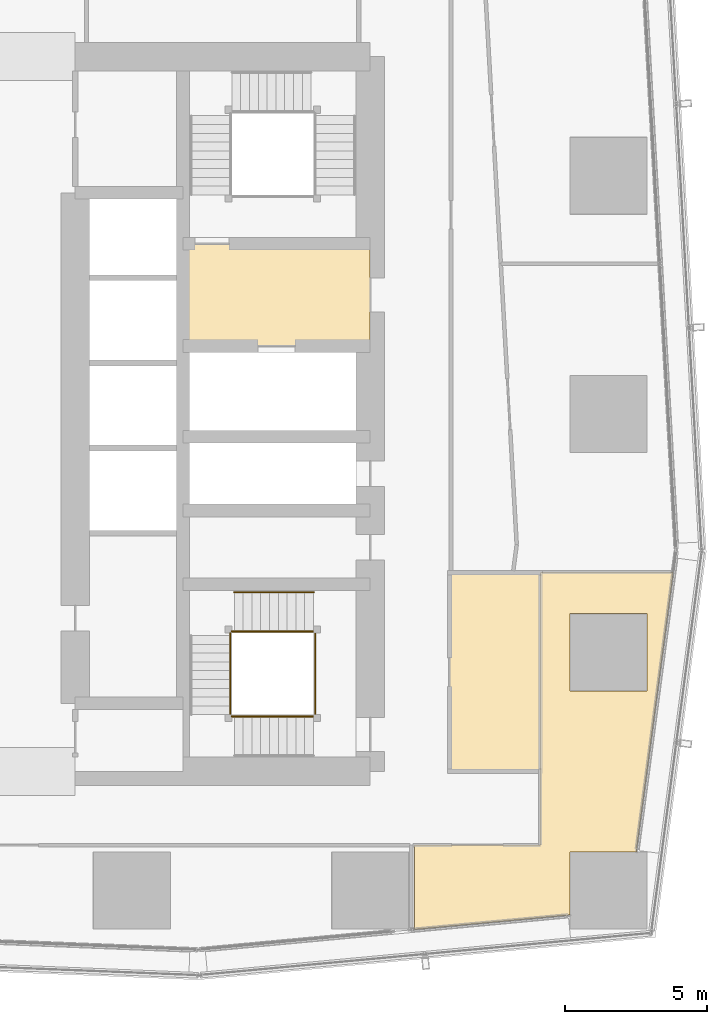
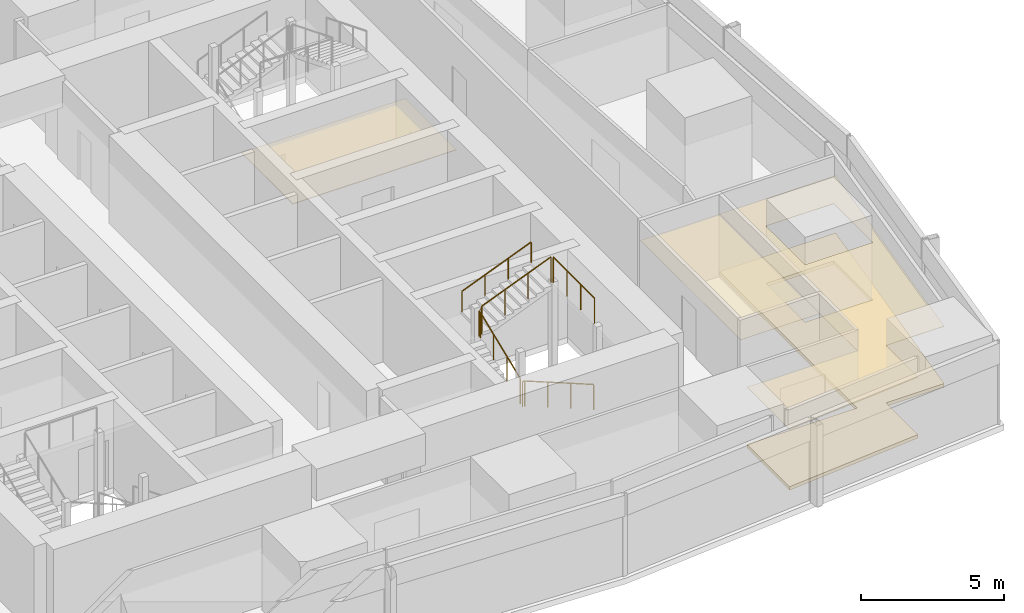
# One storey, part 33 of 36: 8 railings, 4 coverings.
"""IFC4 building model written with IfcOpenShell, lengths in metres."""

from ifc_helpers import new_model, si_unit, direction, frame, origin, origin_2d, place, context, subcontext, project, spatial, polyline, circle, outline, extrude, material, layer, layer_set, type_object, element, save


model = new_model("IFC4")

# Units and contexts
model_context = context("Model", 3, precision=1e-05, world=origin(), true_north=direction((0.0, 1.0)))
body_context = subcontext(model_context, "Body", "Model", "MODEL_VIEW")
ifc_project = project(units=[si_unit("LENGTHUNIT", "METRE"), si_unit("AREAUNIT", "SQUARE_METRE"), si_unit("VOLUMEUNIT", "CUBIC_METRE"), si_unit("PLANEANGLEUNIT", "RADIAN"), si_unit("MASSUNIT", "GRAM", prefix="KILO")], contexts=[model_context])

# Site, building, storey
site_placement = place(None, origin())
site = spatial("IfcSite", under=ifc_project, at=site_placement, CompositionType="ELEMENT")
building_placement = place(site_placement, origin())
building = spatial("IfcBuilding", under=site, at=building_placement, Name="Rekha Terrace Tower", CompositionType="ELEMENT")
storey_placement = place(building_placement, frame((0.0, 0.0, 172.699951171875)))
storey = spatial("IfcBuildingStorey", under=building, at=storey_placement, Name="L43", CompositionType="ELEMENT", Elevation=172.699951171875)

# Coverings
ifc_material_1 = material(Name="Mineral fibre tile in exposed grid", Category="finish")
ifc_layer_1 = layer(ifc_material_1, 0.02001953125)
ifc_layer_set_1 = layer_set([ifc_layer_1], Name="Mineral fibre tile in exposed grid")
covering_type_1 = type_object("IfcCoveringType", Name="CL1 600x1200 office grid ceiling", PredefinedType="CEILING", material=ifc_layer_set_1)
covering_1_placement = place(storey_placement, frame((0.0, 0.0, 2.580078125)))
element("IfcCovering", 1, at=covering_1_placement, inside=storey, type_object=covering_type_1, Name="Ceiling L43-03", PredefinedType="CEILING", context=body_context, shape_type="SweptSolid", body=[
    extrude(outline(polyline([(57.43505859375, 18.1650390625), (59.780029296875, 18.1650390625), (61.083984375, 28.012939453125), (56.39990234375, 28.012939453125), (56.39990234375, 18.39990234375), (51.9609375, 18.39990234375), (51.9609375, 15.424072265625), (57.43505859375, 15.93408203125), (57.43505859375, 18.1650390625)]), holes=[polyline([(60.1650390625, 23.8349609375), (57.43505859375, 23.8349609375), (57.43505859375, 26.56494140625), (60.1650390625, 26.56494140625), (60.1650390625, 23.8349609375)])]), origin(), (0.0, 0.0, 1.0), 0.02001953125),
])
ifc_material_2 = material(Name="Fibre cement board", Category="finish")
ifc_layer_2 = layer(ifc_material_2, 0.014892578125)
ifc_layer_set_2 = layer_set([ifc_layer_2], Name="Fibre cement board")
covering_type_2 = type_object("IfcCoveringType", Name="CL2 moisture-resistant board ceiling", PredefinedType="CEILING", material=ifc_layer_set_2)
covering_2_placement = place(storey_placement, frame((0.0, 0.0, 2.5849609375)))
element("IfcCovering", 2, at=covering_2_placement, inside=storey, type_object=covering_type_2, Name="Ceiling L43-WCM2", PredefinedType="CEILING", context=body_context, shape_type="SweptSolid", body=[
    extrude(outline(polyline([(56.39990234375, 28.0), (53.199951171875, 28.0), (53.199951171875, 21.0), (56.39990234375, 21.0), (56.39990234375, 28.0)])), origin(), (0.0, 0.0, 1.0), 0.01513671875),
])
ifc_material_3 = material(Name="Powder-coated aluminium pan", Category="aluminium")
ifc_layer_3 = layer(ifc_material_3, 0.030029296875)
ifc_layer_set_3 = layer_set([ifc_layer_3], Name="Powder-coated aluminium pan")
covering_type_3 = type_object("IfcCoveringType", Name="CL3 300x1200 metal pan ceiling", PredefinedType="CEILING", material=ifc_layer_set_3)
covering_3_placement = place(storey_placement, frame((0.0, 0.0, 2.570068359375)))
element("IfcCovering", 3, at=covering_3_placement, inside=storey, type_object=covering_type_3, Name="Ceiling L43-FLB2", PredefinedType="CEILING", context=body_context, shape_type="SweptSolid", body=[
    extrude(outline(polyline([(50.39990234375, 39.60009765625), (43.800048828125, 39.60009765625), (43.800048828125, 36.0), (50.39990234375, 36.0), (50.39990234375, 39.60009765625)])), origin(), (0.0, 0.0, 1.0), 0.030029296875),
])

# Railings
ifc_material_4 = material(Name="Stainless steel balustrade", Category="steel")
railing_type_1 = type_object("IfcRailingType", Name="GR1 1100 stair guard", PredefinedType="GUARDRAIL", material=ifc_material_4)
railing_1_placement = place(storey_placement, frame((48.39990234375, 22.93994140625, 0.125)))
element("IfcRailing", 4, at=railing_1_placement, inside=storey, type_object=railing_type_1, Name="Guard ST3 L43 flight 1", PredefinedType="GUARDRAIL", context=body_context, shape_type="SweptSolid", body=[
    extrude(circle(Radius=0.02392578125, at=origin_2d()), frame((0.0, 0.0, 1.076171875), z_axis=(-0.927431937212, 0.0, 0.373991980981), x_axis=(0.0, -1.0, 0.0)), (0.0, 0.0, 1.0), 3.008056640625),
    extrude(circle(Radius=0.02099609375, at=origin_2d()), origin(), (0.0, 0.0, 1.0), 1.052001953125),
    extrude(circle(Radius=0.02099609375, at=origin_2d()), frame((-0.929931640625, 0.0, 0.375)), (0.0, 0.0, 1.0), 1.052001953125),
    extrude(circle(Radius=0.02099609375, at=origin_2d()), frame((-1.85986328125, 0.0, 0.75)), (0.0, 0.0, 1.0), 1.052001953125),
    extrude(circle(Radius=0.02099609375, at=origin_2d()), frame((-2.789794921875, 0.0, 1.125)), (0.0, 0.0, 1.0), 1.052001953125),
])
railing_2_placement = place(storey_placement, frame((45.465087890625, 23.0, 1.375)))
element("IfcRailing", 5, at=railing_2_placement, inside=storey, type_object=railing_type_1, Name="Guard ST3 L43 flight 2", PredefinedType="GUARDRAIL", context=body_context, shape_type="SweptSolid", body=[
    extrude(circle(Radius=0.02392578125, at=origin_2d()), frame((0.0, 0.0, 1.076171875), z_axis=(0.0, 0.927443287984, 0.373963831907), x_axis=(-1.0, 0.0, 0.0)), (0.0, 0.0, 1.0), 3.00830078125),
    extrude(circle(Radius=0.02099609375, at=origin_2d()), origin(), (0.0, 0.0, 1.0), 1.052001953125),
    extrude(circle(Radius=0.02099609375, at=origin_2d()), frame((0.0, 0.929931640625, 0.375)), (0.0, 0.0, 1.0), 1.052001953125),
    extrude(circle(Radius=0.02099609375, at=origin_2d()), frame((0.0, 1.860107421875, 0.75)), (0.0, 0.0, 1.0), 1.052001953125),
    extrude(circle(Radius=0.02099609375, at=origin_2d()), frame((0.0, 2.7900390625, 1.125)), (0.0, 0.0, 1.0), 1.052001953125),
])
railing_3_placement = place(storey_placement, frame((45.610107421875, 25.93505859375, 2.625)))
element("IfcRailing", 6, at=railing_3_placement, inside=storey, type_object=railing_type_1, Name="Guard ST3 L43 flight 3", PredefinedType="GUARDRAIL", context=body_context, shape_type="SweptSolid", body=[
    extrude(circle(Radius=0.02392578125, at=origin_2d()), frame((0.0, 0.0, 1.076171875), z_axis=(0.927431937212, 0.0, 0.373991980981), x_axis=(0.0, 1.0, 0.0)), (0.0, 0.0, 1.0), 3.008056640625),
    extrude(circle(Radius=0.02099609375, at=origin_2d()), origin(), (0.0, 0.0, 1.0), 1.052001953125),
    extrude(circle(Radius=0.02099609375, at=origin_2d()), frame((0.929931640625, 0.0, 0.375)), (0.0, 0.0, 1.0), 1.052001953125),
    extrude(circle(Radius=0.02099609375, at=origin_2d()), frame((1.85986328125, 0.0, 0.75)), (0.0, 0.0, 1.0), 1.052001953125),
    extrude(circle(Radius=0.02099609375, at=origin_2d()), frame((2.789794921875, 0.0, 1.125)), (0.0, 0.0, 1.0), 1.052001953125),
])
railing_4_placement = place(storey_placement, frame((45.610107421875, 22.93994140625, 1.25)))
element("IfcRailing", 7, at=railing_4_placement, inside=storey, type_object=railing_type_1, Name="Guard ST3 L43 landing 1", PredefinedType="GUARDRAIL", context=body_context, shape_type="SweptSolid", body=[
    extrude(circle(Radius=0.02392578125, at=origin_2d()), frame((0.0, 0.0, 1.076171875), z_axis=(-1.0, 0.0, 0.0), x_axis=(0.0, -1.0, 0.0)), (0.0, 0.0, 1.0), 0.085205078125),
    extrude(circle(Radius=0.02099609375, at=origin_2d()), origin(), (0.0, 0.0, 1.0), 1.052001953125),
    extrude(circle(Radius=0.02099609375, at=origin_2d()), frame((-0.085205078125, 0.0, 0.0)), (0.0, 0.0, 1.0), 1.052001953125),
])
railing_5_placement = place(storey_placement, frame((45.465087890625, 25.7900390625, 2.5)))
element("IfcRailing", 8, at=railing_5_placement, inside=storey, type_object=railing_type_1, Name="Guard ST3 L43 landing 2", PredefinedType="GUARDRAIL", context=body_context, shape_type="SweptSolid", body=[
    extrude(circle(Radius=0.02392578125, at=origin_2d()), frame((0.0, 0.0, 1.076171875), z_axis=(0.0, 1.0, 0.0), x_axis=(-1.0, 0.0, 0.0)), (0.0, 0.0, 1.0), 0.0849609375),
    extrude(circle(Radius=0.02099609375, at=origin_2d()), origin(), (0.0, 0.0, 1.0), 1.052001953125),
    extrude(circle(Radius=0.02099609375, at=origin_2d()), frame((0.0, 0.0849609375, 0.0)), (0.0, 0.0, 1.0), 1.052001953125),
])
railing_6_placement = place(storey_placement, frame((45.610107421875, 25.93505859375, 2.5)))
element("IfcRailing", 9, at=railing_6_placement, inside=storey, type_object=railing_type_1, Name="Guard ST3 L43 landing 3", PredefinedType="GUARDRAIL", context=body_context, shape_type="SweptSolid", body=[
    extrude(circle(Radius=0.02392578125, at=origin_2d()), frame((0.0, 0.0, 1.076171875), z_axis=(-1.0, 0.0, 0.0), x_axis=(0.0, -1.0, 0.0)), (0.0, 0.0, 1.0), 0.085205078125),
    extrude(circle(Radius=0.02099609375, at=origin_2d()), origin(), (0.0, 0.0, 1.0), 1.052001953125),
    extrude(circle(Radius=0.02099609375, at=origin_2d()), frame((-0.085205078125, 0.0, 0.0)), (0.0, 0.0, 1.0), 1.052001953125),
])
railing_7_placement = place(storey_placement, frame((48.4599609375, 23.0, 3.75)))
element("IfcRailing", 10, at=railing_7_placement, inside=storey, type_object=railing_type_1, Name="Guard ST3 L43 landing 4", PredefinedType="GUARDRAIL", context=body_context, shape_type="SweptSolid", body=[
    extrude(circle(Radius=0.02392578125, at=origin_2d()), frame((0.0, 0.0, 1.076171875), z_axis=(0.0, 1.0, 0.0), x_axis=(-1.0, 0.0, 0.0)), (0.0, 0.0, 1.0), 2.875),
    extrude(circle(Radius=0.02099609375, at=origin_2d()), origin(), (0.0, 0.0, 1.0), 1.052001953125),
    extrude(circle(Radius=0.02099609375, at=origin_2d()), frame((0.0, 0.958251953125, 0.0)), (0.0, 0.0, 1.0), 1.052001953125),
    extrude(circle(Radius=0.02099609375, at=origin_2d()), frame((0.0, 1.916748046875, 0.0)), (0.0, 0.0, 1.0), 1.052001953125),
    extrude(circle(Radius=0.02099609375, at=origin_2d()), frame((0.0, 2.875, 0.0)), (0.0, 0.0, 1.0), 1.052001953125),
])
ifc_material_5 = material(Name="Stainless steel tube", Category="steel")
railing_type_2 = type_object("IfcRailingType", Name="HR1 900 stair handrail", PredefinedType="HANDRAIL", material=ifc_material_5)
railing_8_placement = place(storey_placement, frame((45.610107421875, 27.31494140625, 2.625)))
element("IfcRailing", 11, at=railing_8_placement, inside=storey, type_object=railing_type_2, Name="Handrail ST3 L43 flight 3", PredefinedType="HANDRAIL", context=body_context, shape_type="SweptSolid", body=[
    extrude(circle(Radius=0.02392578125, at=origin_2d()), frame((0.0, 0.0, 0.8759765625), z_axis=(0.927431937212, 0.0, 0.373991980981), x_axis=(0.0, 1.0, 0.0)), (0.0, 0.0, 1.0), 3.008056640625),
    extrude(circle(Radius=0.02099609375, at=origin_2d()), origin(), (0.0, 0.0, 1.0), 0.851806640625),
    extrude(circle(Radius=0.02099609375, at=origin_2d()), frame((0.929931640625, 0.0, 0.375)), (0.0, 0.0, 1.0), 0.851806640625),
    extrude(circle(Radius=0.02099609375, at=origin_2d()), frame((1.85986328125, 0.0, 0.75)), (0.0, 0.0, 1.0), 0.851806640625),
    extrude(circle(Radius=0.02099609375, at=origin_2d()), frame((2.789794921875, 0.0, 1.125)), (0.0, 0.0, 1.0), 0.851806640625),
])

# Covering
ifc_material_6 = material(Name="Calcium sulphate panels on steel pedestals", Category="steel")
ifc_layer_4 = layer(ifc_material_6, 0.14990234375)
ifc_layer_set_4 = layer_set([ifc_layer_4], Name="Calcium sulphate panels on steel pedestals")
covering_type_4 = type_object("IfcCoveringType", Name="RF1 150 raised access floor", PredefinedType="FLOORING", material=ifc_layer_set_4)
covering_4_placement = place(storey_placement, origin())
element("IfcCovering", 12, at=covering_4_placement, inside=storey, type_object=covering_type_4, Name="Raised floor L43-03", PredefinedType="FLOORING", context=body_context, shape_type="SweptSolid", body=[
    extrude(outline(polyline([(57.43505859375, 18.1650390625), (59.780029296875, 18.1650390625), (61.083984375, 28.012939453125), (56.39990234375, 28.012939453125), (56.39990234375, 18.39990234375), (51.9609375, 18.39990234375), (51.9609375, 15.424072265625), (57.43505859375, 15.93408203125), (57.43505859375, 18.1650390625)]), holes=[polyline([(60.1650390625, 23.8349609375), (57.43505859375, 23.8349609375), (57.43505859375, 26.56494140625), (60.1650390625, 26.56494140625), (60.1650390625, 23.8349609375)])]), origin(), (0.0, 0.0, 1.0), 0.150146484375),
])

save(model, "model.ifc")
